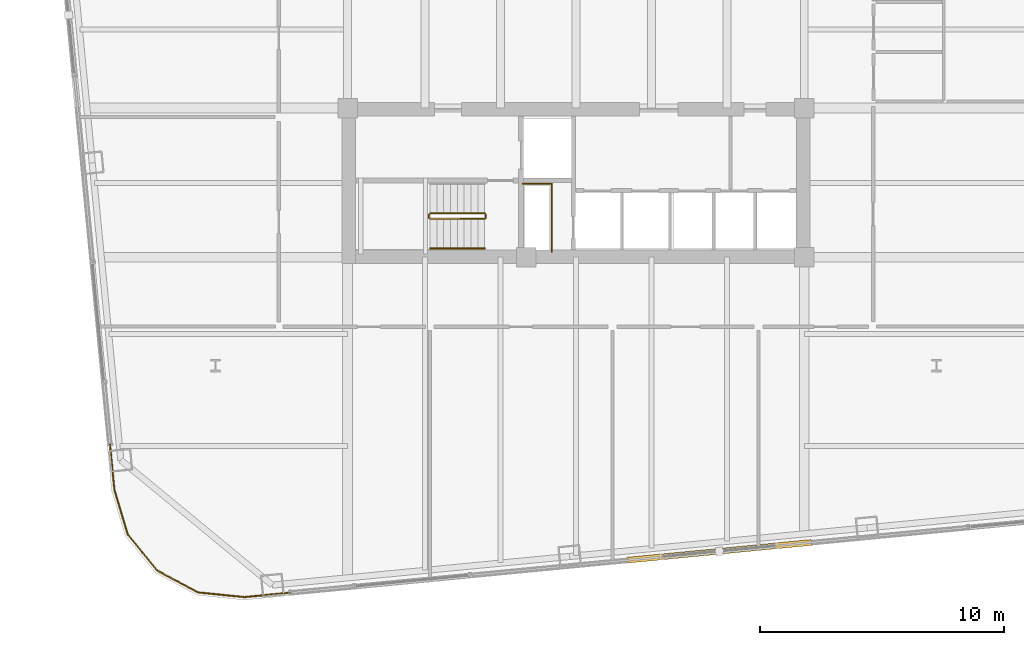
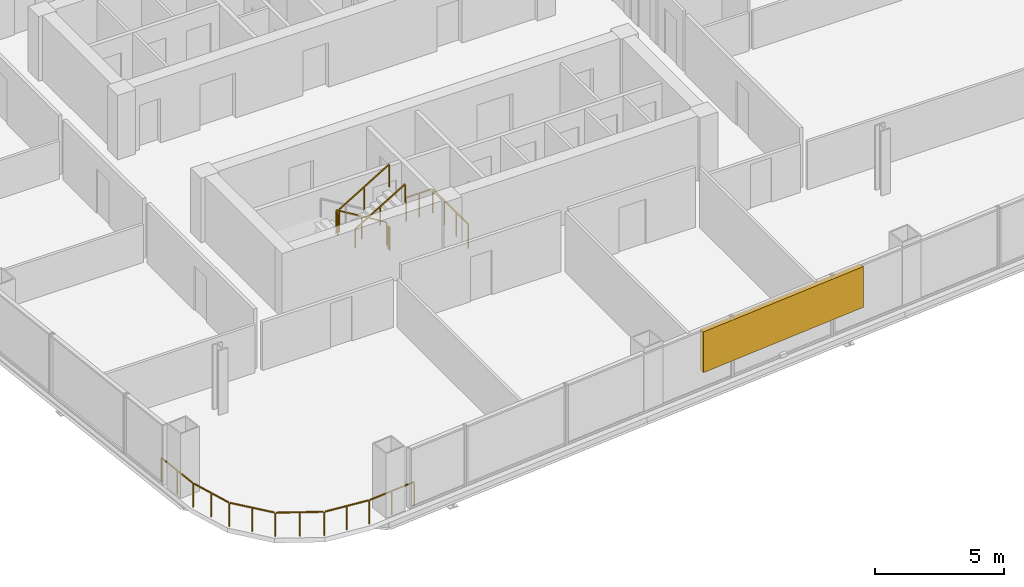
# One storey, part 30 of 32: 7 railings, 1 shading device.
"""IFC4 building model written with IfcOpenShell, lengths in metres."""

from ifc_helpers import new_model, si_unit, direction, frame, origin, origin_2d, place, context, subcontext, project, spatial, rectangle, extrude, material, type_object, element, save


model = new_model("IFC4")

# Units and contexts
model_context = context("Model", 3, precision=1e-05, world=origin(), true_north=direction((0.0, 1.0)))
body_context = subcontext(model_context, "Body", "Model", "MODEL_VIEW")
ifc_project = project(units=[si_unit("LENGTHUNIT", "METRE"), si_unit("AREAUNIT", "SQUARE_METRE"), si_unit("VOLUMEUNIT", "CUBIC_METRE"), si_unit("PLANEANGLEUNIT", "RADIAN"), si_unit("MASSUNIT", "GRAM", prefix="KILO")], contexts=[model_context])

# Site, building, storey
site_placement = place(None, origin())
site = spatial("IfcSite", under=ifc_project, at=site_placement, CompositionType="ELEMENT")
building_placement = place(site_placement, origin())
building = spatial("IfcBuilding", under=site, at=building_placement, Name="Qhalaya Broadcast Tower", CompositionType="ELEMENT")
storey_placement = place(building_placement, frame((0.0, 0.0, 87.75)))
storey = spatial("IfcBuildingStorey", under=building, at=storey_placement, Name="L25", CompositionType="ELEMENT", Elevation=87.75)

# Railings
ifc_material_1 = material(Name="Powder-Coated Galvanised Steel", Category="steel")
railing_type_1 = type_object("IfcRailingType", Name="Stair Wall Handrail 900", PredefinedType="HANDRAIL", material=ifc_material_1)
railing_1_placement = place(storey_placement, frame((-5.989990234375, -8.389892578125, 1.6943359375)))
element("IfcRailing", 1, at=railing_1_placement, inside=storey, type_object=railing_type_1, Name="L25 ST-2 Stair Handrail 2", PredefinedType="HANDRAIL", context=body_context, shape_type="SweptSolid", body=[
    extrude(rectangle(XDim=0.048095703125, YDim=0.048095703125, at=origin_2d()), frame((0.0, 0.0, 0.8759765625), z_axis=(0.855512035549, 0.0, 0.517782924622), x_axis=(0.0, 1.0, 0.0)), (0.0, 0.0, 1.0), 2.618408203125),
    extrude(rectangle(XDim=0.0419921875, YDim=0.0419921875, at=origin_2d()), origin(), (0.0, 0.0, 1.0), 0.849853515625),
    extrude(rectangle(XDim=0.0419921875, YDim=0.0419921875, at=origin_2d()), frame((1.1201171875, 0.0, 0.677734375)), (0.0, 0.0, 1.0), 0.849853515625),
    extrude(rectangle(XDim=0.0419921875, YDim=0.0419921875, at=origin_2d()), frame((2.239990234375, 0.0, 1.355712890625)), (0.0, 0.0, 1.0), 0.849853515625),
])
railing_type_2 = type_object("IfcRailingType", Name="Stair Well & Landing Guardrail 1100", PredefinedType="GUARDRAIL", material=ifc_material_1)
railing_2_placement = place(storey_placement, frame((-1.0, -8.52001953125, 0.0)))
element("IfcRailing", 2, at=railing_2_placement, inside=storey, type_object=railing_type_2, Name="L25 Service Riser Opening Safety Guard SRSR", PredefinedType="GUARDRAIL", context=body_context, shape_type="SweptSolid", body=[
    extrude(rectangle(XDim=0.048095703125, YDim=0.048095703125, at=origin_2d()), frame((0.0, 0.0, 1.1259765625), z_axis=(0.0, 1.0, 0.0), x_axis=(-1.0, 0.0, 0.0)), (0.0, 0.0, 1.0), 2.751220703125),
    extrude(rectangle(XDim=0.048095703125, YDim=0.048095703125, at=origin_2d()), frame((-0.02880859375, 2.780029296875, 1.1259765625), z_axis=(-1.0, 0.0, 0.0), x_axis=(0.0, -1.0, 0.0)), (0.0, 0.0, 1.0), 1.151123046875),
    extrude(rectangle(XDim=0.0419921875, YDim=0.0419921875, at=origin_2d()), origin(), (0.0, 0.0, 1.0), 1.099853515625),
    extrude(rectangle(XDim=0.0419921875, YDim=0.0419921875, at=origin_2d()), frame((0.0, 0.9267578125, 0.0)), (0.0, 0.0, 1.0), 1.099853515625),
    extrude(rectangle(XDim=0.0419921875, YDim=0.0419921875, at=origin_2d()), frame((0.0, 1.853271484375, 0.0)), (0.0, 0.0, 1.0), 1.099853515625),
    extrude(rectangle(XDim=0.0419921875, YDim=0.0419921875, at=origin_2d()), frame((0.0, 2.780029296875, 0.0)), (0.0, 0.0, 1.0), 1.099853515625),
    extrude(rectangle(XDim=0.0419921875, YDim=0.0419921875, at=origin_2d()), frame((-0.58984375, 2.780029296875, 0.0)), (0.0, 0.0, 1.0), 1.099853515625),
    extrude(rectangle(XDim=0.0419921875, YDim=0.0419921875, at=origin_2d()), frame((-1.179931640625, 2.780029296875, 0.0)), (0.0, 0.0, 1.0), 1.099853515625),
])
railing_3_placement = place(storey_placement, frame((-3.75, -6.949951171875, 0.16943359375)))
element("IfcRailing", 3, at=railing_3_placement, inside=storey, type_object=railing_type_2, Name="L25 ST-2 Stair Guard 1", PredefinedType="GUARDRAIL", context=body_context, shape_type="SweptSolid", body=[
    extrude(rectangle(XDim=0.048095703125, YDim=0.048095703125, at=origin_2d()), frame((0.0, 0.0, 1.076171875), z_axis=(-0.855553338991, 0.0, 0.51771467445), x_axis=(0.0, -1.0, 0.0)), (0.0, 0.0, 1.0), 2.6181640625),
    extrude(rectangle(XDim=0.0419921875, YDim=0.0419921875, at=origin_2d()), origin(), (0.0, 0.0, 1.0), 1.050048828125),
    extrude(rectangle(XDim=0.0419921875, YDim=0.0419921875, at=origin_2d()), frame((-1.1201171875, 0.0, 0.677734375)), (0.0, 0.0, 1.0), 1.050048828125),
    extrude(rectangle(XDim=0.0419921875, YDim=0.0419921875, at=origin_2d()), frame((-2.239990234375, 0.0, 1.35546875)), (0.0, 0.0, 1.0), 1.050048828125),
])
railing_4_placement = place(storey_placement, frame((-6.0400390625, -7.0, 1.52490234375)))
element("IfcRailing", 4, at=railing_4_placement, inside=storey, type_object=railing_type_2, Name="L25 ST-2 Stair Guard 2", PredefinedType="GUARDRAIL", context=body_context, shape_type="SweptSolid", body=[
    extrude(rectangle(XDim=0.048095703125, YDim=0.048095703125, at=origin_2d()), frame((0.0, 0.0, 1.076171875), z_axis=(0.0, -1.0, 0.0), x_axis=(1.0, 0.0, 0.0)), (0.0, 0.0, 1.0), 0.1201171875),
    extrude(rectangle(XDim=0.0419921875, YDim=0.0419921875, at=origin_2d()), origin(), (0.0, 0.0, 1.0), 1.050048828125),
    extrude(rectangle(XDim=0.0419921875, YDim=0.0419921875, at=origin_2d()), frame((0.0, -0.1201171875, 0.0)), (0.0, 0.0, 1.0), 1.050048828125),
])
railing_5_placement = place(storey_placement, frame((-5.989990234375, -7.169921875, 1.6943359375)))
element("IfcRailing", 5, at=railing_5_placement, inside=storey, type_object=railing_type_2, Name="L25 ST-2 Stair Guard 3", PredefinedType="GUARDRAIL", context=body_context, shape_type="SweptSolid", body=[
    extrude(rectangle(XDim=0.048095703125, YDim=0.048095703125, at=origin_2d()), frame((0.0, 0.0, 1.076171875), z_axis=(0.855512035549, 0.0, 0.517782924622), x_axis=(0.0, 1.0, 0.0)), (0.0, 0.0, 1.0), 2.618408203125),
    extrude(rectangle(XDim=0.0419921875, YDim=0.0419921875, at=origin_2d()), origin(), (0.0, 0.0, 1.0), 1.050048828125),
    extrude(rectangle(XDim=0.0419921875, YDim=0.0419921875, at=origin_2d()), frame((1.1201171875, 0.0, 0.677734375)), (0.0, 0.0, 1.0), 1.050048828125),
    extrude(rectangle(XDim=0.0419921875, YDim=0.0419921875, at=origin_2d()), frame((2.239990234375, 0.0, 1.355712890625)), (0.0, 0.0, 1.0), 1.050048828125),
])
railing_6_placement = place(storey_placement, frame((-3.699951171875, -7.0, 0.0)))
element("IfcRailing", 6, at=railing_6_placement, inside=storey, type_object=railing_type_2, Name="L25 ST-2 Stair Guard 4", PredefinedType="GUARDRAIL", context=body_context, shape_type="SweptSolid", body=[
    extrude(rectangle(XDim=0.048095703125, YDim=0.048095703125, at=origin_2d()), frame((0.0, 0.0, 1.076171875), z_axis=(0.0, -1.0, 0.0), x_axis=(1.0, 0.0, 0.0)), (0.0, 0.0, 1.0), 0.1201171875),
    extrude(rectangle(XDim=0.0419921875, YDim=0.0419921875, at=origin_2d()), origin(), (0.0, 0.0, 1.0), 1.050048828125),
    extrude(rectangle(XDim=0.0419921875, YDim=0.0419921875, at=origin_2d()), frame((0.0, -0.1201171875, 0.0)), (0.0, 0.0, 1.0), 1.050048828125),
])
railing_type_3 = type_object("IfcRailingType", Name="Terrace, Sky-Pool & Lookout Glass Balustrade 1150", PredefinedType="BALUSTRADE", material=ifc_material_1)
railing_7_placement = place(storey_placement, frame((-11.50341796875, -22.501708984375, 0.0)))
element("IfcRailing", 7, at=railing_7_placement, inside=storey, type_object=railing_type_3, Name="L25 Rounded Corner Perimeter Guard 02", PredefinedType="BALUSTRADE", context=body_context, shape_type="SweptSolid", body=[
    extrude(rectangle(XDim=0.048095703125, YDim=0.048095703125, at=origin_2d()), frame((0.0, 0.0, 1.1259765625), z_axis=(-0.995402268864, -0.095782687057, 0.0), x_axis=(0.095782687057, -0.995402268864, 0.0)), (0.0, 0.0, 1.0), 2.08935546875),
    extrude(rectangle(XDim=0.048095703125, YDim=0.048095703125, at=origin_2d()), frame((-2.13720703125, -0.199951171875, 1.1259765625), z_axis=(-0.994978953282, 0.100084377028, 0.0), x_axis=(-0.100084377028, -0.994978953282, 0.0)), (0.0, 0.0, 1.0), 1.857177734375),
    extrude(rectangle(XDim=0.048095703125, YDim=0.048095703125, at=origin_2d()), frame((-4.0390625, 0.00244140625, 1.1259765625), z_axis=(-0.880907290044, 0.473288861424, 0.0), x_axis=(-0.473288861424, -0.880907290044, 0.0)), (0.0, 0.0, 1.0), 1.845703125),
    extrude(rectangle(XDim=0.048095703125, YDim=0.048095703125, at=origin_2d()), frame((-5.708740234375, 0.912109375, 1.1259765625), z_axis=(-0.632671796541, 0.774420039683, 0.0), x_axis=(-0.774420039683, -0.632671796541, 0.0)), (0.0, 0.0, 1.0), 1.845458984375),
    extrude(rectangle(XDim=0.048095703125, YDim=0.048095703125, at=origin_2d()), frame((-6.90283203125, 2.39111328125, 1.1259765625), z_axis=(-0.288213171456, 0.95756627332, 0.0), x_axis=(-0.95756627332, -0.288213171456, 0.0)), (0.0, 0.0, 1.0), 1.857421875),
    extrude(rectangle(XDim=0.048095703125, YDim=0.048095703125, at=origin_2d()), frame((-7.44921875, 4.226318359375, 1.1259765625), z_axis=(-0.095782687057, 0.995402268864, 0.0), x_axis=(-0.995402268864, -0.095782687057, 0.0)), (0.0, 0.0, 1.0), 2.08935546875),
    extrude(rectangle(XDim=0.0419921875, YDim=0.0419921875, at=origin_2d()), origin(), (0.0, 0.0, 1.0), 1.099853515625),
    extrude(rectangle(XDim=0.0419921875, YDim=0.0419921875, at=origin_2d()), frame((-1.05419921875, -0.1015625, 0.0)), (0.0, 0.0, 1.0), 1.099853515625),
    extrude(rectangle(XDim=0.0419921875, YDim=0.0419921875, at=origin_2d()), frame((-2.1083984375, -0.202880859375, 0.0)), (0.0, 0.0, 1.0), 1.099853515625),
    extrude(rectangle(XDim=0.0419921875, YDim=0.0419921875, at=origin_2d()), frame((-3.06103515625, -0.10693359375, 0.0)), (0.0, 0.0, 1.0), 1.099853515625),
    extrude(rectangle(XDim=0.0419921875, YDim=0.0419921875, at=origin_2d()), frame((-4.013671875, -0.01123046875, 0.0)), (0.0, 0.0, 1.0), 1.099853515625),
    extrude(rectangle(XDim=0.0419921875, YDim=0.0419921875, at=origin_2d()), frame((-4.85205078125, 0.439208984375, 0.0)), (0.0, 0.0, 1.0), 1.099853515625),
    extrude(rectangle(XDim=0.0419921875, YDim=0.0419921875, at=origin_2d()), frame((-5.6904296875, 0.8896484375, 0.0)), (0.0, 0.0, 1.0), 1.099853515625),
    extrude(rectangle(XDim=0.0419921875, YDim=0.0419921875, at=origin_2d()), frame((-6.29248046875, 1.62646484375, 0.0)), (0.0, 0.0, 1.0), 1.099853515625),
    extrude(rectangle(XDim=0.0419921875, YDim=0.0419921875, at=origin_2d()), frame((-6.89453125, 2.363525390625, 0.0)), (0.0, 0.0, 1.0), 1.099853515625),
    extrude(rectangle(XDim=0.0419921875, YDim=0.0419921875, at=origin_2d()), frame((-7.17041015625, 3.280517578125, 0.0)), (0.0, 0.0, 1.0), 1.099853515625),
    extrude(rectangle(XDim=0.0419921875, YDim=0.0419921875, at=origin_2d()), frame((-7.446533203125, 4.197509765625, 0.0)), (0.0, 0.0, 1.0), 1.099853515625),
    extrude(rectangle(XDim=0.0419921875, YDim=0.0419921875, at=origin_2d()), frame((-7.5478515625, 5.251708984375, 0.0)), (0.0, 0.0, 1.0), 1.099853515625),
    extrude(rectangle(XDim=0.0419921875, YDim=0.0419921875, at=origin_2d()), frame((-7.6494140625, 6.305908203125, 0.0)), (0.0, 0.0, 1.0), 1.099853515625),
])

# Shading device
ifc_material_2 = material(Name="Fired Architectural Terracotta", Category="masonry")
shading_device_type = type_object("IfcShadingDeviceType", Name="Terracotta Baguette Solar Screen Assembly TBS-01", PredefinedType="USERDEFINED", material=ifc_material_2)
shading_device_placement = place(storey_placement, frame((5.88623046875, -20.827392578125, 0.79248046875), z_axis=(0.0, 0.0, 1.0), x_axis=(0.995396198367, 0.09584575252, 0.0)))
element("IfcShadingDevice", 8, at=shading_device_placement, inside=storey, type_object=shading_device_type, Name="L25 Fired Terracotta Baguette Screen S", ObjectType="BAGUETTE", PredefinedType="USERDEFINED", context=body_context, shape_type="SweptSolid", body=[
    extrude(rectangle(XDim=7.60009765625, YDim=0.239990234375, at=origin_2d()), origin(), (0.0, 0.0, 1.0), 1.924072265625),
])

save(model, "model.ifc")
